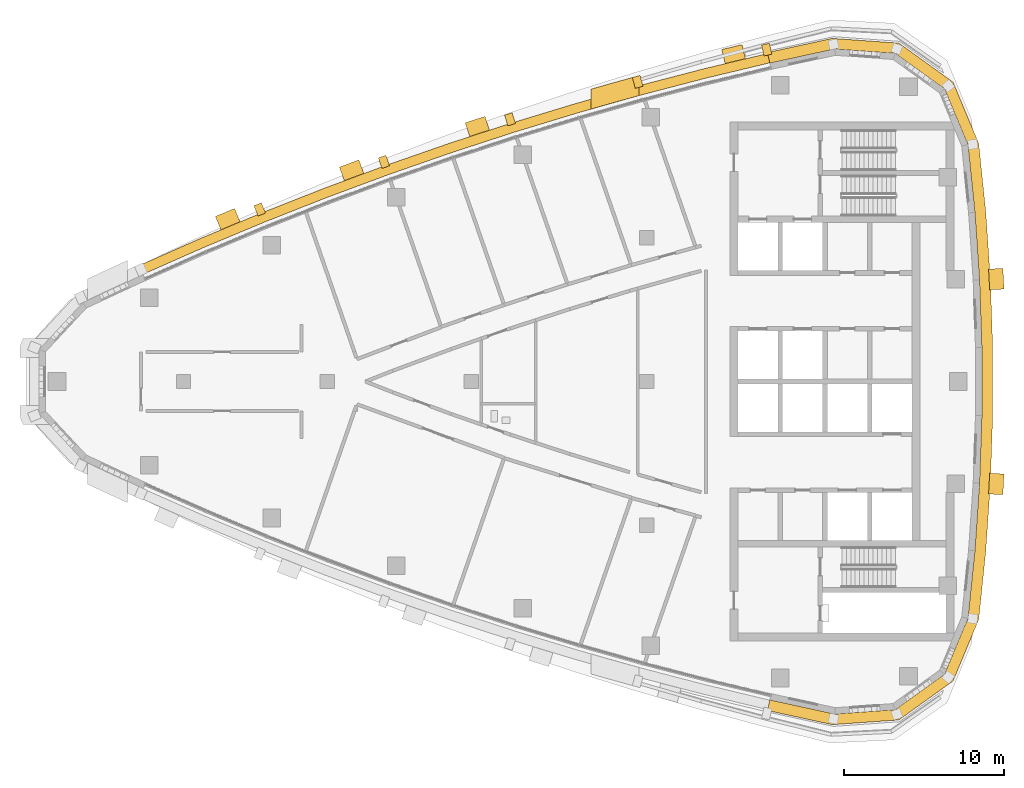
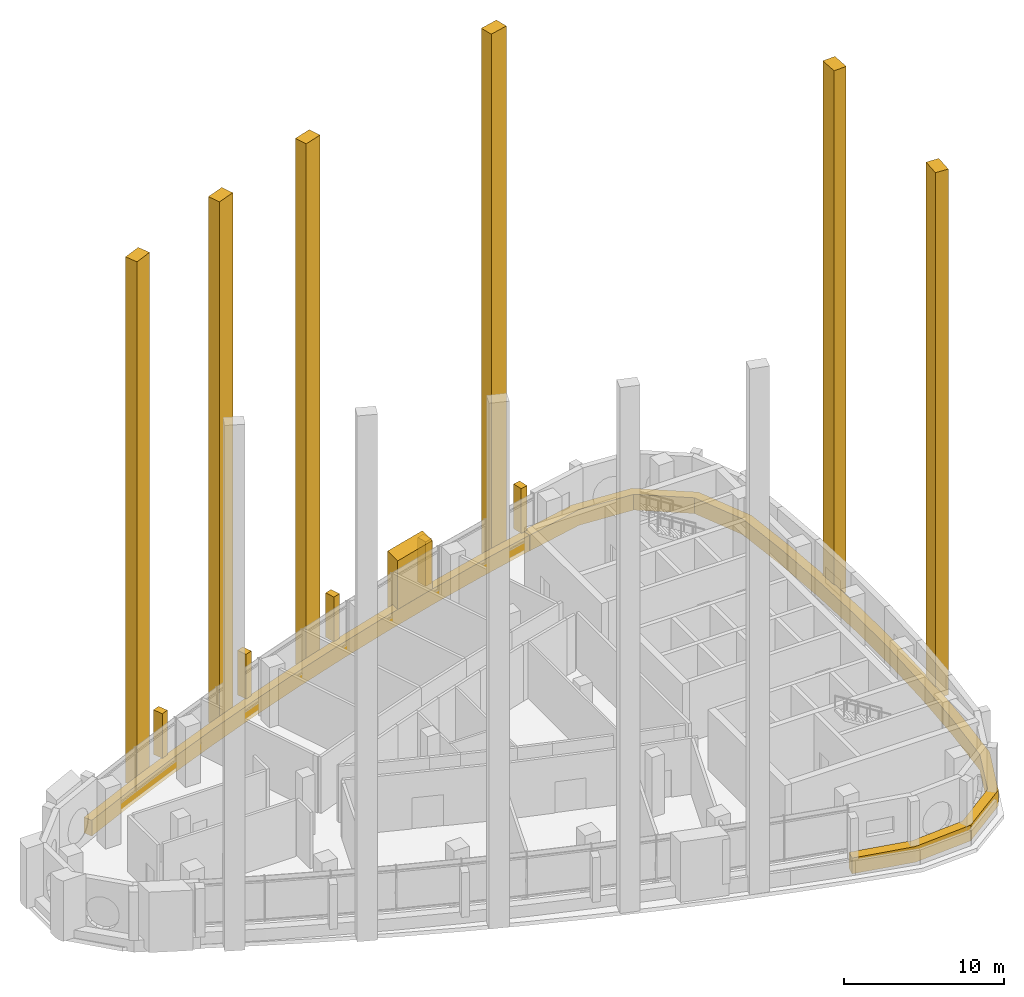
# One storey, part 13 of 15: 14 coverings.
"""IFC4 building model written with IfcOpenShell, lengths in metres."""

from ifc_helpers import new_model, si_unit, direction, frame, frame_2d, origin, place, context, subcontext, project, spatial, polyline, rectangle, outline, extrude, material, layer, layer_set, type_object, element, save


model = new_model("IFC4")

# Units and contexts
model_context = context("Model", 3, precision=1e-05, world=origin(), true_north=direction((0.0, 1.0)))
body_context = subcontext(model_context, "Body", "Model", "MODEL_VIEW")
ifc_project = project(units=[si_unit("LENGTHUNIT", "METRE"), si_unit("AREAUNIT", "SQUARE_METRE"), si_unit("VOLUMEUNIT", "CUBIC_METRE"), si_unit("PLANEANGLEUNIT", "RADIAN"), si_unit("MASSUNIT", "GRAM", prefix="KILO")], contexts=[model_context])

# Site, building, storey
site_placement = place(None, origin())
site = spatial("IfcSite", under=ifc_project, at=site_placement, CompositionType="ELEMENT")
building_placement = place(site_placement, origin())
building = spatial("IfcBuilding", under=site, at=building_placement, Name="Ostrand Prow Hotel Tower", CompositionType="ELEMENT")
storey_placement = place(building_placement, frame((0.0, 0.0, 263.300048828125)))
storey = spatial("IfcBuildingStorey", under=building, at=storey_placement, Name="L66", CompositionType="ELEMENT", Elevation=263.300048828125)

# Coverings
ifc_material_1 = material(Name="Bronze anodised aluminium cladding", Category="aluminium")
ifc_layer_1 = layer(ifc_material_1, 0.60009765625)
ifc_layer_set_1 = layer_set([ifc_layer_1], Name="Bronze anodised aluminium cladding")
covering_type_1 = type_object("IfcCoveringType", Name="Bronze spandrel band 1200x600", PredefinedType="CLADDING", material=ifc_layer_set_1)
covering_1_placement = place(storey_placement, frame((0.0, 0.0, -0.300048828125)))
element("IfcCovering", 1, at=covering_1_placement, inside=storey, type_object=covering_type_1, Name="Spandrel band N1", PredefinedType="CLADDING", context=body_context, shape_type="SweptSolid", body=[
    extrude(outline(polyline([(52.55615234375, 20.52880859375), (48.51220703125, 19.56103515625), (44.48828125, 18.51220703125), (40.486328125, 17.382568359375), (36.508056640625, 16.172607421875), (32.5546875, 14.88330078125), (28.62841796875, 13.514404296875), (24.72998046875, 12.067138671875), (20.86181640625, 10.541748046875), (17.02490234375, 8.938720703125), (13.220947265625, 7.25927734375), (13.468994140625, 6.712890625), (17.26171875, 8.3876953125), (21.08740234375, 9.98583984375), (24.944580078125, 11.5068359375), (28.83154296875, 12.949951171875), (32.74658203125, 14.314697265625), (36.6884765625, 15.6005859375), (40.6552734375, 16.806884765625), (44.6455078125, 17.93310546875), (48.65771484375, 18.97900390625), (52.68994140625, 19.94384765625), (52.55615234375, 20.52880859375)])), origin(), (0.0, 0.0, 1.0), 1.199951171875),
])
covering_2_placement = place(storey_placement, frame((0.0, 0.0, -0.300048828125)))
element("IfcCovering", 2, at=covering_2_placement, inside=storey, type_object=covering_type_1, Name="Spandrel band back 1", PredefinedType="CLADDING", context=body_context, shape_type="SweptSolid", body=[
    extrude(outline(polyline([(52.542236328125, -20.58984375), (56.606201171875, -21.476318359375), (60.771728515625, -21.17919921875), (64.162841796875, -18.741455078125), (65.77197265625, -14.887451171875), (66.2080078125, -10.646240234375), (66.498779296875, -6.392822265625), (66.644287109375, -2.131591796875), (66.644287109375, 2.131591796875), (66.498779296875, 6.392822265625), (66.2080078125, 10.646240234375), (65.77197265625, 14.887451171875), (64.162841796875, 18.741455078125), (60.771728515625, 21.17919921875), (56.606201171875, 21.476318359375), (52.542236328125, 20.58984375), (52.69384765625, 19.927001953125), (56.744384765625, 20.810546875), (60.540283203125, 20.539794921875), (63.630615234375, 18.318359375), (65.0966796875, 14.806396484375), (65.530517578125, 10.58837890625), (65.819580078125, 6.35791015625), (65.964599609375, 2.1201171875), (65.964599609375, -2.1201171875), (65.819580078125, -6.35791015625), (65.530517578125, -10.58837890625), (65.0966796875, -14.806396484375), (63.630615234375, -18.318359375), (60.540283203125, -20.539794921875), (56.744384765625, -20.810546875), (52.69384765625, -19.927001953125), (52.542236328125, -20.58984375)])), origin(), (0.0, 0.0, 1.0), 1.199951171875),
])
ifc_material_2 = material(Name="Limestone cladding", Category="masonry")
ifc_layer_2 = layer(ifc_material_2, 5.0)
ifc_layer_set_2 = layer_set([ifc_layer_2], Name="Limestone cladding")
covering_type_2 = type_object("IfcCoveringType", Name="Portal jamb pilaster limestone", PredefinedType="CLADDING", material=ifc_layer_set_2)
covering_3_placement = place(storey_placement, origin())
element("IfcCovering", 3, at=covering_3_placement, inside=storey, type_object=covering_type_2, Name="Portal jamb NB L66", PredefinedType="CLADDING", context=body_context, shape_type="SweptSolid", body=[
    extrude(outline(polyline([(41.5, 17.052490234375), (42.5, 17.338134765625), (43.5, 17.61865234375), (44.5, 17.8935546875), (44.5, 19.136962890625), (43.5, 18.86376953125), (42.5, 18.585205078125), (41.5, 18.301025390625), (41.5, 17.052490234375)])), origin(), (0.0, 0.0, 1.0), 4.599853515625),
])
ifc_material_3 = material(Name="Limestone cladding", Category="masonry")
ifc_layer_3 = layer(ifc_material_3, 1.300048828125)
ifc_layer_set_3 = layer_set([ifc_layer_3], Name="Limestone cladding")
covering_type_3 = type_object("IfcCoveringType", Name="Precast stone fin 1300x1500", PredefinedType="CLADDING", material=ifc_layer_set_3)
covering_4_placement = place(storey_placement, frame((50.53173828125, 20.05517578125, 0.0), z_axis=(0.0, 0.0, 1.0), x_axis=(-0.232757295497, 0.972534853562, 0.0)))
element("IfcCovering", 4, at=covering_4_placement, inside=storey, type_object=covering_type_3, Name="Stone fin N zone 6 1", PredefinedType="CLADDING", context=body_context, shape_type="SweptSolid", body=[
    extrude(rectangle(XDim=0.89990234375, YDim=1.300048828125, at=frame_2d((0.449951171875, 0.0))), origin(), (0.0, 0.0, 1.0), 40.099853515625),
])
covering_5_placement = place(storey_placement, frame((34.5283203125, 15.537841796875, 0.0), z_axis=(0.0, 0.0, 1.0), x_axis=(-0.310281733718, 0.950644647448, 0.0)))
element("IfcCovering", 5, at=covering_5_placement, inside=storey, type_object=covering_type_3, Name="Stone fin N zone 6 5", PredefinedType="CLADDING", context=body_context, shape_type="SweptSolid", body=[
    extrude(rectangle(XDim=0.900146484375, YDim=1.300048828125, at=frame_2d((0.4501953125, 0.0))), origin(), (0.0, 0.0, 1.0), 40.099853515625),
])
for number, where, z_axis, x_axis, name in (
    (6, (26.675537109375, 12.800537109375, 0.0), (0.0, 0.0, 1.0), (-0.348029877419, 0.937483442213, 0.0), "Stone fin N zone 6 7"),
    (7, (18.939208984375, 9.75, 0.0), (0.0, 0.0, 1.0), (-0.385520610924, 0.922699224316, 0.0), "Stone fin N zone 6 9"),
    (8, (66.4189453125, -6.388671875, 0.0), (0.0, 0.0, 1.0), (0.998684459201, -0.051277197172, 0.0), "Stone fin back zone 6 7"),
    (9, (66.4189453125, 6.388671875, 0.0), (0.0, 0.0, 1.0), (0.998684459201, 0.051277197172, 0.0), "Stone fin back zone 6 10"),
):
    element("IfcCovering", number, at=place(storey_placement, frame(where, z_axis=z_axis, x_axis=x_axis)), inside=storey, type_object=covering_type_3, Name=name, PredefinedType="CLADDING", context=body_context, shape_type="SweptSolid", body=[
        extrude(rectangle(XDim=0.89990234375, YDim=1.300048828125, at=frame_2d((0.449951171875, 0.0))), origin(), (0.0, 0.0, 1.0), 40.099853515625),
    ])
ifc_material_4 = material(Name="Limestone cladding", Category="masonry")
ifc_layer_4 = layer(ifc_material_4, 0.5)
ifc_layer_set_4 = layer_set([ifc_layer_4], Name="Limestone cladding")
covering_type_4 = type_object("IfcCoveringType", Name="Precast stone fin 500x600", PredefinedType="CLADDING", material=ifc_layer_set_4)
covering_6_placement = place(storey_placement, frame((52.578369140625, 20.431396484375, 0.89990234375), z_axis=(0.0, 0.0, 1.0), x_axis=(-0.222872153431, 0.974847682064, 0.0)))
element("IfcCovering", 10, at=covering_6_placement, inside=storey, type_object=covering_type_4, Name="Stone fin N 1", PredefinedType="CLADDING", context=body_context, shape_type="SweptSolid", body=[
    extrude(rectangle(XDim=0.699951171875, YDim=0.5, at=frame_2d((0.35009765625, 0.0))), origin(), (0.0, 0.0, 1.0), 3.400146484375),
])
for number, where, z_axis, x_axis, name in (
    (11, (44.514404296875, 18.41552734375, 0.89990234375), (0.0, 0.0, 1.0), (-0.261848568536, 0.965108971648, 0.0), "Stone fin N 3"),
    (12, (36.5380859375, 16.077392578125, 0.89990234375), (0.0, 0.0, 1.0), (-0.30059725976, 0.953751166408, 0.0), "Stone fin N 5"),
):
    element("IfcCovering", number, at=place(storey_placement, frame(where, z_axis=z_axis, x_axis=x_axis)), inside=storey, type_object=covering_type_4, Name=name, PredefinedType="CLADDING", context=body_context, shape_type="SweptSolid", body=[
        extrude(rectangle(XDim=0.7001953125, YDim=0.5, at=frame_2d((0.35009765625, 0.0))), origin(), (0.0, 0.0, 1.0), 3.400146484375),
    ])
for number, where, z_axis, x_axis, name in (
    (13, (28.662109375, 13.42041015625, 0.89990234375), (0.0, 0.0, 1.0), (-0.338633021138, 0.940918528352, 0.0), "Stone fin N 7"),
    (14, (20.8994140625, 10.44921875, 0.89990234375), (0.0, 0.0, 1.0), (-0.376377046956, 0.926466577122, 0.0), "Stone fin N 9"),
):
    element("IfcCovering", number, at=place(storey_placement, frame(where, z_axis=z_axis, x_axis=x_axis)), inside=storey, type_object=covering_type_4, Name=name, PredefinedType="CLADDING", context=body_context, shape_type="SweptSolid", body=[
        extrude(rectangle(XDim=0.699951171875, YDim=0.5, at=frame_2d((0.35009765625, 0.0))), origin(), (0.0, 0.0, 1.0), 3.400146484375),
    ])

save(model, "model.ifc")
